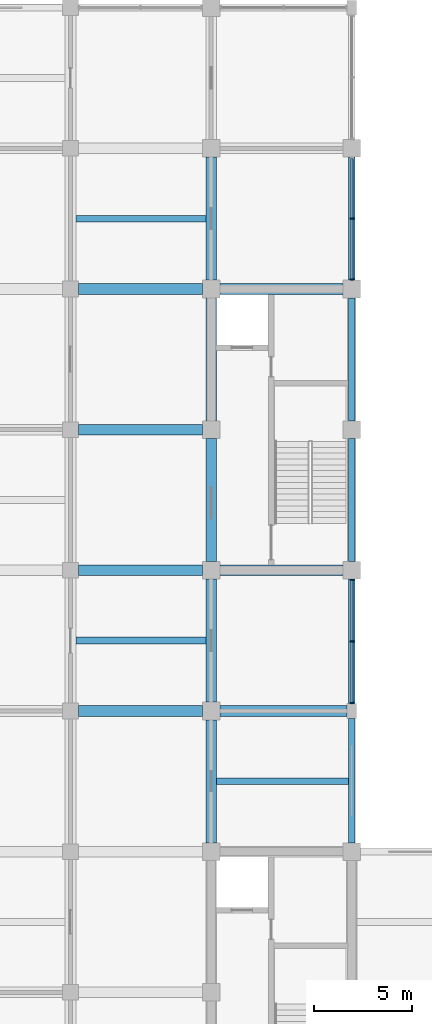
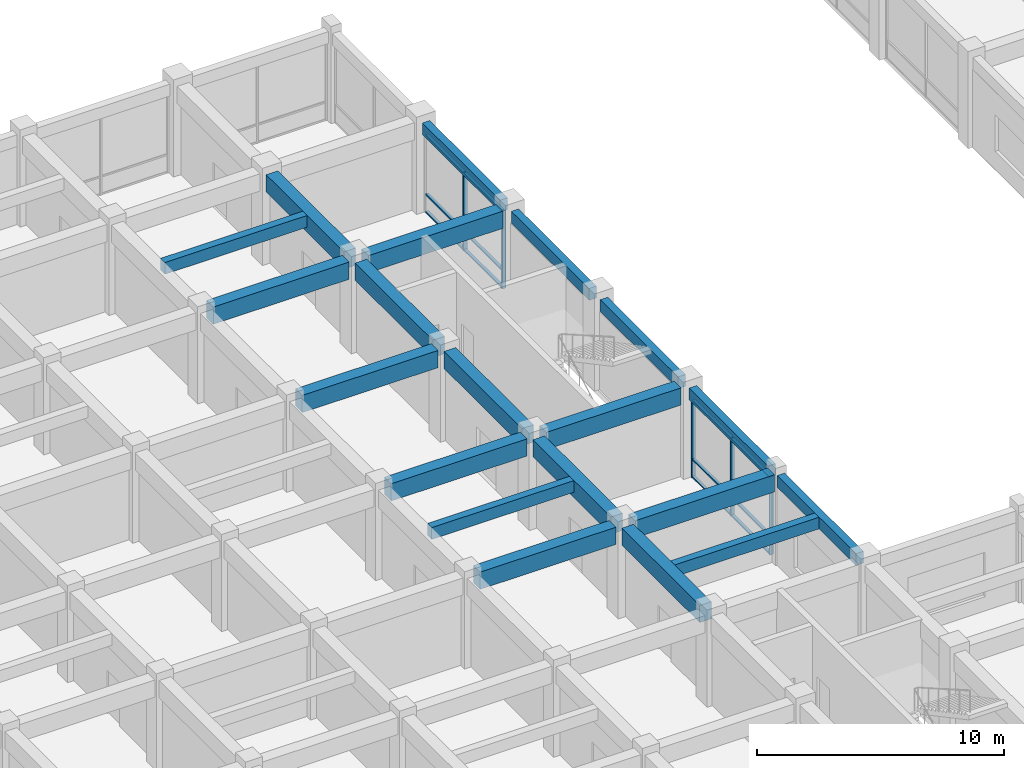
# One storey, part 16 of 75: 20 beams, 17 members, 2 elements without a shape of their own.
"""IFC4 building model written with IfcOpenShell, lengths in metres."""

from ifc_helpers import new_model, si_unit, direction, frame, origin, origin_2d, place, context, subcontext, project, spatial, rectangle, extrude, material, layer, layer_set, material_profile, profile_set, type_object, element, aggregate, save


model = new_model("IFC4")

# Units and contexts
model_context = context("Model", 3, precision=1e-05, world=origin(), true_north=direction((0.0, 1.0)))
body_context = subcontext(model_context, "Body", "Model", "MODEL_VIEW")
ifc_project = project(units=[si_unit("LENGTHUNIT", "METRE"), si_unit("AREAUNIT", "SQUARE_METRE"), si_unit("VOLUMEUNIT", "CUBIC_METRE"), si_unit("PLANEANGLEUNIT", "RADIAN"), si_unit("MASSUNIT", "GRAM", prefix="KILO")], contexts=[model_context])

# Site, building, storey
site_placement = place(None, origin())
site = spatial("IfcSite", under=ifc_project, at=site_placement, CompositionType="ELEMENT")
building_placement = place(site_placement, origin())
building = spatial("IfcBuilding", under=site, at=building_placement, Name="Cendaluz Park School", CompositionType="ELEMENT")
storey_placement = place(building_placement, frame((0.0, 0.0, 4.800048828125)))
storey = spatial("IfcBuildingStorey", under=building, at=storey_placement, Name="L01", CompositionType="ELEMENT", Elevation=4.800048828125)

# Beams
ifc_material_1 = material(Name="Concrete C40/50", Category="concrete")
ifc_material_profile_1 = material_profile(ifc_material_1, rectangle(XDim=0.550048828125, YDim=0.85009765625, at=origin_2d()), Name="RC 550x850", Category="concrete")
ifc_profile_set_1 = profile_set([ifc_material_profile_1], Name="Concrete C40/50")
beam_type_1 = type_object("IfcBeamType", Name="BM-RC01", PredefinedType="BEAM", material=ifc_profile_set_1)
for number, where, z_axis, x_axis, name in (
    (1, (94.0, 36.0, 4.0048828125), (1.0, 0.0, 0.0), (0.0, 1.0, 0.0), "BM-L01-BMRC01-0129"),
    (2, (94.0, 43.199951171875, 4.0048828125), (1.0, 0.0, 0.0), (0.0, 1.0, 0.0), "BM-L01-BMRC01-0130"),
    (3, (94.0, 50.39990234375, 4.0048828125), (1.0, 0.0, 0.0), (0.0, 1.0, 0.0), "BM-L01-BMRC01-0131"),
    (4, (94.0, 57.60009765625, 4.0048828125), (1.0, 0.0, 0.0), (0.0, 1.0, 0.0), "BM-L01-BMRC01-0132"),
):
    element("IfcBeam", number, at=place(storey_placement, frame(where, z_axis=z_axis, x_axis=x_axis)), inside=storey, type_object=beam_type_1, Name=name, PredefinedType="BEAM", context=body_context, shape_type="SweptSolid", body=[
        extrude(rectangle(XDim=0.550048828125, YDim=0.85009765625, at=origin_2d()), origin(), (0.0, 0.0, 1.0), 6.35009765625),
    ])
beam_1_placement = place(storey_placement, frame((101.25, 36.0, 4.0048828125), z_axis=(1.0, 0.0, 0.0), x_axis=(0.0, 1.0, 0.0)))
element("IfcBeam", 5, at=beam_1_placement, inside=storey, type_object=beam_type_1, Name="BM-L01-BMRC01-0139", PredefinedType="BEAM", context=body_context, shape_type="SweptSolid", body=[
    extrude(rectangle(XDim=0.550048828125, YDim=0.85009765625, at=origin_2d()), origin(), (0.0, 0.0, 1.0), 6.5),
])
for number, where, z_axis, x_axis, name in (
    (6, (101.25, 43.199951171875, 4.0048828125), (1.0, 0.0, 0.0), (0.0, 1.0, 0.0), "BM-L01-BMRC01-0140"),
    (7, (101.25, 57.60009765625, 4.0048828125), (1.0, 0.0, 0.0), (0.0, 1.0, 0.0), "BM-L01-BMRC01-0141"),
    (8, (100.800048828125, 29.25, 4.0048828125), (0.0, 1.0, 0.0), (-1.0, 0.0, 0.0), "BM-L01-BMRC01-0364"),
    (9, (100.800048828125, 36.449951171875, 4.0048828125), (0.0, 1.0, 0.0), (-1.0, 0.0, 0.0), "BM-L01-BMRC01-0365"),
    (10, (100.800048828125, 43.64990234375, 4.0048828125), (0.0, 1.0, 0.0), (-1.0, 0.0, 0.0), "BM-L01-BMRC01-0366"),
):
    element("IfcBeam", number, at=place(storey_placement, frame(where, z_axis=z_axis, x_axis=x_axis)), inside=storey, type_object=beam_type_1, Name=name, PredefinedType="BEAM", context=body_context, shape_type="SweptSolid", body=[
        extrude(rectangle(XDim=0.550048828125, YDim=0.85009765625, at=origin_2d()), origin(), (0.0, 0.0, 1.0), 6.300048828125),
    ])
beam_2_placement = place(storey_placement, frame((100.800048828125, 50.85009765625, 4.0048828125), z_axis=(0.0, 1.0, 0.0), x_axis=(-1.0, 0.0, 0.0)))
element("IfcBeam", 11, at=beam_2_placement, inside=storey, type_object=beam_type_1, Name="BM-L01-BMRC01-0367", PredefinedType="BEAM", context=body_context, shape_type="SweptSolid", body=[
    extrude(rectangle(XDim=0.550048828125, YDim=0.85009765625, at=origin_2d()), origin(), (0.0, 0.0, 1.0), 6.2998046875),
])
beam_3_placement = place(storey_placement, frame((100.800048828125, 58.050048828125, 4.0048828125), z_axis=(0.0, 1.0, 0.0), x_axis=(-1.0, 0.0, 0.0)))
element("IfcBeam", 12, at=beam_3_placement, inside=storey, type_object=beam_type_1, Name="BM-L01-BMRC01-0368", PredefinedType="BEAM", context=body_context, shape_type="SweptSolid", body=[
    extrude(rectangle(XDim=0.550048828125, YDim=0.85009765625, at=origin_2d()), origin(), (0.0, 0.0, 1.0), 6.300048828125),
])
ifc_material_profile_2 = material_profile(ifc_material_1, rectangle(XDim=0.35009765625, YDim=0.580078125, at=origin_2d()), Name="RC 350x580", Category="concrete")
ifc_profile_set_2 = profile_set([ifc_material_profile_2], Name="Concrete C40/50")
beam_type_2 = type_object("IfcBeamType", Name="BM-RC04", PredefinedType="LINTEL", material=ifc_profile_set_2)
for number, where, z_axis, x_axis, name in (
    (13, (108.0, 29.25, 4.139892578125), (0.0, 1.0, 0.0), (-1.0, 0.0, 0.0), "BM-L01-BMRC04-0374"),
    (14, (108.0, 36.375, 4.139892578125), (0.0, 1.0, 0.0), (-1.0, 0.0, 0.0), "BM-L01-BMRC04-0375"),
):
    element("IfcBeam", number, at=place(storey_placement, frame(where, z_axis=z_axis, x_axis=x_axis)), inside=storey, type_object=beam_type_2, Name=name, PredefinedType="LINTEL", context=body_context, shape_type="SweptSolid", body=[
        extrude(rectangle(XDim=0.35009765625, YDim=0.580078125, at=origin_2d()), origin(), (0.0, 0.0, 1.0), 6.375),
    ])
beam_4_placement = place(storey_placement, frame((108.0, 43.64990234375, 4.139892578125), z_axis=(0.0, 1.0, 0.0), x_axis=(-1.0, 0.0, 0.0)))
element("IfcBeam", 15, at=beam_4_placement, inside=storey, type_object=beam_type_2, Name="BM-L01-BMRC04-0376", PredefinedType="LINTEL", context=body_context, shape_type="SweptSolid", body=[
    extrude(rectangle(XDim=0.35009765625, YDim=0.580078125, at=origin_2d()), origin(), (0.0, 0.0, 1.0), 6.300048828125),
])
beam_5_placement = place(storey_placement, frame((108.0, 50.85009765625, 4.139892578125), z_axis=(0.0, 1.0, 0.0), x_axis=(-1.0, 0.0, 0.0)))
element("IfcBeam", 16, at=beam_5_placement, inside=storey, type_object=beam_type_2, Name="BM-L01-BMRC04-0377", PredefinedType="LINTEL", context=body_context, shape_type="SweptSolid", body=[
    extrude(rectangle(XDim=0.35009765625, YDim=0.580078125, at=origin_2d()), origin(), (0.0, 0.0, 1.0), 6.2998046875),
])
beam_6_placement = place(storey_placement, frame((108.0, 58.050048828125, 4.139892578125), z_axis=(0.0, 1.0, 0.0), x_axis=(-1.0, 0.0, 0.0)))
element("IfcBeam", 17, at=beam_6_placement, inside=storey, type_object=beam_type_2, Name="BM-L01-BMRC04-0378", PredefinedType="LINTEL", context=body_context, shape_type="SweptSolid", body=[
    extrude(rectangle(XDim=0.35009765625, YDim=0.580078125, at=origin_2d()), origin(), (0.0, 0.0, 1.0), 6.300048828125),
])

# Curtain wall, members
ifc_material_2 = material(Name="Anodised Aluminium 6063-T6", Category="aluminium")
ifc_layer_1 = layer(ifc_material_2, 0.179931640625)
ifc_layer_set_1 = layer_set([ifc_layer_1], Name="Anodised Aluminium 6063-T6")
curtain_wall_type_1 = type_object("IfcCurtainWallType", Name="CW-128x77", PredefinedType="NOTDEFINED", material=ifc_layer_set_1)
curtain_wall_1_placement = place(storey_placement, origin())
curtain_wall_1 = element("IfcCurtainWall", 18, at=curtain_wall_1_placement, inside=storey, type_object=curtain_wall_type_1, Name="CW-L01-049", PredefinedType="NOTDEFINED")
ifc_material_profile_3 = material_profile(ifc_material_2, rectangle(XDim=0.179931640625, YDim=0.070068359375, at=origin_2d()), Name="CWM 180x70", Category="aluminium")
ifc_profile_set_3 = profile_set([ifc_material_profile_3], Name="Anodised Aluminium 6063-T6")
member_type_1 = type_object("IfcMemberType", Name="CWM-01", PredefinedType="MULLION", material=ifc_profile_set_3)
member_1_placement = place(storey_placement, frame((108.0, 36.409912109375, 0.0), z_axis=(0.0, 0.0, 1.0), x_axis=(-1.0, 0.0, 0.0)))
member_1 = element("IfcMember", 19, at=member_1_placement, type_object=member_type_1, Name="CP-L01-0625", PredefinedType="MULLION", context=body_context, shape_type="SweptSolid", body=[
    extrude(rectangle(XDim=0.179931640625, YDim=0.070068359375, at=origin_2d()), origin(), (0.0, 0.0, 1.0), 3.849853515625),
])
member_2_placement = place(storey_placement, frame((108.0, 39.5625, 0.0), z_axis=(0.0, 0.0, 1.0), x_axis=(-1.0, 0.0, 0.0)))
member_2 = element("IfcMember", 20, at=member_2_placement, type_object=member_type_1, Name="CP-L01-0626", PredefinedType="MULLION", context=body_context, shape_type="SweptSolid", body=[
    extrude(rectangle(XDim=0.179931640625, YDim=0.070068359375, at=origin_2d()), origin(), (0.0, 0.0, 1.0), 3.849853515625),
])
member_3_placement = place(storey_placement, frame((108.0, 42.715087890625, 0.0), z_axis=(0.0, 0.0, 1.0), x_axis=(-1.0, 0.0, 0.0)))
member_3 = element("IfcMember", 21, at=member_3_placement, type_object=member_type_1, Name="CP-L01-0627", PredefinedType="MULLION", context=body_context, shape_type="SweptSolid", body=[
    extrude(rectangle(XDim=0.179931640625, YDim=0.070068359375, at=origin_2d()), origin(), (0.0, 0.0, 1.0), 3.849853515625),
])

ifc_layer_2 = layer(ifc_material_2, 0.179931640625)
ifc_layer_set_2 = layer_set([ifc_layer_2], Name="Anodised Aluminium 6063-T6")
curtain_wall_type_2 = type_object("IfcCurtainWallType", Name="CW-126x77", PredefinedType="NOTDEFINED", material=ifc_layer_set_2)
curtain_wall_2_placement = place(storey_placement, origin())
curtain_wall_2 = element("IfcCurtainWall", 22, at=curtain_wall_2_placement, inside=storey, type_object=curtain_wall_type_2, Name="CW-L01-050", PredefinedType="NOTDEFINED")
member_4_placement = place(storey_placement, frame((108.0, 58.0849609375, 0.0), z_axis=(0.0, 0.0, 1.0), x_axis=(-1.0, 0.0, 0.0)))
member_4 = element("IfcMember", 23, at=member_4_placement, type_object=member_type_1, Name="CP-L01-0638", PredefinedType="MULLION", context=body_context, shape_type="SweptSolid", body=[
    extrude(rectangle(XDim=0.179931640625, YDim=0.070068359375, at=origin_2d()), origin(), (0.0, 0.0, 1.0), 3.849853515625),
])
member_5_placement = place(storey_placement, frame((108.0, 61.199951171875, 0.0), z_axis=(0.0, 0.0, 1.0), x_axis=(-1.0, 0.0, 0.0)))
member_5 = element("IfcMember", 24, at=member_5_placement, type_object=member_type_1, Name="CP-L01-0639", PredefinedType="MULLION", context=body_context, shape_type="SweptSolid", body=[
    extrude(rectangle(XDim=0.179931640625, YDim=0.070068359375, at=origin_2d()), origin(), (0.0, 0.0, 1.0), 3.849853515625),
])

# Member
ifc_material_profile_4 = material_profile(ifc_material_2, rectangle(XDim=0.139892578125, YDim=0.070068359375, at=origin_2d()), Name="CWT 140x70", Category="aluminium")
ifc_profile_set_4 = profile_set([ifc_material_profile_4], Name="Anodised Aluminium 6063-T6")
member_type_2 = type_object("IfcMemberType", Name="CWT-01", PredefinedType="USERDEFINED", material=ifc_profile_set_4)
member_6_placement = place(storey_placement, frame((108.0, 36.445068359375, 0.034912109375), z_axis=(0.0, 1.0, 0.0), x_axis=(-1.0, 0.0, 0.0)))
member_6 = element("IfcMember", 25, at=member_6_placement, type_object=member_type_2, Name="CP-L01-0628", ObjectType="TRANSOM", PredefinedType="USERDEFINED", context=body_context, shape_type="SweptSolid", body=[
    extrude(rectangle(XDim=0.139892578125, YDim=0.070068359375, at=origin_2d()), origin(), (0.0, 0.0, 1.0), 3.08251953125),
])

member_7_placement = place(storey_placement, frame((108.0, 36.445068359375, 0.89990234375), z_axis=(0.0, 1.0, 0.0), x_axis=(-1.0, 0.0, 0.0)))
member_7 = element("IfcMember", 26, at=member_7_placement, type_object=member_type_2, Name="CP-L01-0629", ObjectType="TRANSOM", PredefinedType="USERDEFINED", context=body_context, shape_type="SweptSolid", body=[
    extrude(rectangle(XDim=0.139892578125, YDim=0.070068359375, at=origin_2d()), origin(), (0.0, 0.0, 1.0), 3.08251953125),
])

member_8_placement = place(storey_placement, frame((108.0, 36.445068359375, 3.81494140625), z_axis=(0.0, 1.0, 0.0), x_axis=(-1.0, 0.0, 0.0)))
member_8 = element("IfcMember", 27, at=member_8_placement, type_object=member_type_2, Name="CP-L01-0630", ObjectType="TRANSOM", PredefinedType="USERDEFINED", context=body_context, shape_type="SweptSolid", body=[
    extrude(rectangle(XDim=0.139892578125, YDim=0.070068359375, at=origin_2d()), origin(), (0.0, 0.0, 1.0), 3.08251953125),
])

member_9_placement = place(storey_placement, frame((108.0, 39.597412109375, 0.034912109375), z_axis=(0.0, 1.0, 0.0), x_axis=(-1.0, 0.0, 0.0)))
member_9 = element("IfcMember", 28, at=member_9_placement, type_object=member_type_2, Name="CP-L01-0633", ObjectType="TRANSOM", PredefinedType="USERDEFINED", context=body_context, shape_type="SweptSolid", body=[
    extrude(rectangle(XDim=0.139892578125, YDim=0.070068359375, at=origin_2d()), origin(), (0.0, 0.0, 1.0), 3.08251953125),
])

member_10_placement = place(storey_placement, frame((108.0, 39.597412109375, 0.89990234375), z_axis=(0.0, 1.0, 0.0), x_axis=(-1.0, 0.0, 0.0)))
member_10 = element("IfcMember", 29, at=member_10_placement, type_object=member_type_2, Name="CP-L01-0634", ObjectType="TRANSOM", PredefinedType="USERDEFINED", context=body_context, shape_type="SweptSolid", body=[
    extrude(rectangle(XDim=0.139892578125, YDim=0.070068359375, at=origin_2d()), origin(), (0.0, 0.0, 1.0), 3.08251953125),
])

member_11_placement = place(storey_placement, frame((108.0, 39.597412109375, 3.81494140625), z_axis=(0.0, 1.0, 0.0), x_axis=(-1.0, 0.0, 0.0)))
member_11 = element("IfcMember", 30, at=member_11_placement, type_object=member_type_2, Name="CP-L01-0635", ObjectType="TRANSOM", PredefinedType="USERDEFINED", context=body_context, shape_type="SweptSolid", body=[
    extrude(rectangle(XDim=0.139892578125, YDim=0.070068359375, at=origin_2d()), origin(), (0.0, 0.0, 1.0), 3.08251953125),
])

aggregate(curtain_wall_1, [member_1, member_2, member_3, member_6, member_7, member_8, member_9, member_10, member_11])

member_12_placement = place(storey_placement, frame((108.0, 58.1201171875, 0.034912109375), z_axis=(0.0, 1.0, 0.0), x_axis=(-1.0, 0.0, 0.0)))
member_12 = element("IfcMember", 31, at=member_12_placement, type_object=member_type_2, Name="CP-L01-0641", ObjectType="TRANSOM", PredefinedType="USERDEFINED", context=body_context, shape_type="SweptSolid", body=[
    extrude(rectangle(XDim=0.139892578125, YDim=0.070068359375, at=origin_2d()), origin(), (0.0, 0.0, 1.0), 3.044921875),
])

member_13_placement = place(storey_placement, frame((108.0, 58.1201171875, 0.89990234375), z_axis=(0.0, 1.0, 0.0), x_axis=(-1.0, 0.0, 0.0)))
member_13 = element("IfcMember", 32, at=member_13_placement, type_object=member_type_2, Name="CP-L01-0642", ObjectType="TRANSOM", PredefinedType="USERDEFINED", context=body_context, shape_type="SweptSolid", body=[
    extrude(rectangle(XDim=0.139892578125, YDim=0.070068359375, at=origin_2d()), origin(), (0.0, 0.0, 1.0), 3.044921875),
])

member_14_placement = place(storey_placement, frame((108.0, 58.1201171875, 3.81494140625), z_axis=(0.0, 1.0, 0.0), x_axis=(-1.0, 0.0, 0.0)))
member_14 = element("IfcMember", 33, at=member_14_placement, type_object=member_type_2, Name="CP-L01-0643", ObjectType="TRANSOM", PredefinedType="USERDEFINED", context=body_context, shape_type="SweptSolid", body=[
    extrude(rectangle(XDim=0.139892578125, YDim=0.070068359375, at=origin_2d()), origin(), (0.0, 0.0, 1.0), 3.044921875),
])

member_15_placement = place(storey_placement, frame((108.0, 61.235107421875, 0.034912109375), z_axis=(0.0, 1.0, 0.0), x_axis=(-1.0, 0.0, 0.0)))
member_15 = element("IfcMember", 34, at=member_15_placement, type_object=member_type_2, Name="CP-L01-0646", ObjectType="TRANSOM", PredefinedType="USERDEFINED", context=body_context, shape_type="SweptSolid", body=[
    extrude(rectangle(XDim=0.139892578125, YDim=0.070068359375, at=origin_2d()), origin(), (0.0, 0.0, 1.0), 3.044921875),
])

member_16_placement = place(storey_placement, frame((108.0, 61.235107421875, 0.89990234375), z_axis=(0.0, 1.0, 0.0), x_axis=(-1.0, 0.0, 0.0)))
member_16 = element("IfcMember", 35, at=member_16_placement, type_object=member_type_2, Name="CP-L01-0647", ObjectType="TRANSOM", PredefinedType="USERDEFINED", context=body_context, shape_type="SweptSolid", body=[
    extrude(rectangle(XDim=0.139892578125, YDim=0.070068359375, at=origin_2d()), origin(), (0.0, 0.0, 1.0), 3.044921875),
])

member_17_placement = place(storey_placement, frame((108.0, 61.235107421875, 3.81494140625), z_axis=(0.0, 1.0, 0.0), x_axis=(-1.0, 0.0, 0.0)))
member_17 = element("IfcMember", 36, at=member_17_placement, type_object=member_type_2, Name="CP-L01-0648", ObjectType="TRANSOM", PredefinedType="USERDEFINED", context=body_context, shape_type="SweptSolid", body=[
    extrude(rectangle(XDim=0.139892578125, YDim=0.070068359375, at=origin_2d()), origin(), (0.0, 0.0, 1.0), 3.044921875),
])

aggregate(curtain_wall_2, [member_4, member_5, member_12, member_13, member_14, member_15, member_16, member_17])

# Beams
ifc_material_profile_5 = material_profile(ifc_material_1, rectangle(XDim=0.35009765625, YDim=0.580078125, at=origin_2d()), Name="RC 350x580", Category="concrete")
ifc_profile_set_5 = profile_set([ifc_material_profile_5], Name="Concrete C40/50")
beam_type_3 = type_object("IfcBeamType", Name="JT-RC01", PredefinedType="JOIST", material=ifc_profile_set_5)
for number, where, z_axis, x_axis, name in (
    (37, (93.875, 39.60009765625, 4.139892578125), (1.0, 0.0, 0.0), (0.0, 1.0, 0.0), "BM-L01-JTRC01-0500"),
    (38, (93.875, 61.199951171875, 4.139892578125), (1.0, 0.0, 0.0), (0.0, 1.0, 0.0), "BM-L01-JTRC01-0501"),
):
    element("IfcBeam", number, at=place(storey_placement, frame(where, z_axis=z_axis, x_axis=x_axis)), inside=storey, type_object=beam_type_3, Name=name, PredefinedType="JOIST", context=body_context, shape_type="SweptSolid", body=[
        extrude(rectangle(XDim=0.35009765625, YDim=0.580078125, at=origin_2d()), origin(), (0.0, 0.0, 1.0), 6.64990234375),
    ])
beam_7_placement = place(storey_placement, frame((101.074951171875, 32.39990234375, 4.139892578125), z_axis=(1.0, 0.0, 0.0), x_axis=(0.0, 1.0, 0.0)))
element("IfcBeam", 39, at=beam_7_placement, inside=storey, type_object=beam_type_3, Name="BM-L01-JTRC01-0503", PredefinedType="JOIST", context=body_context, shape_type="SweptSolid", body=[
    extrude(rectangle(XDim=0.35009765625, YDim=0.580078125, at=origin_2d()), origin(), (0.0, 0.0, 1.0), 6.75),
])

save(model, "model.ifc")
